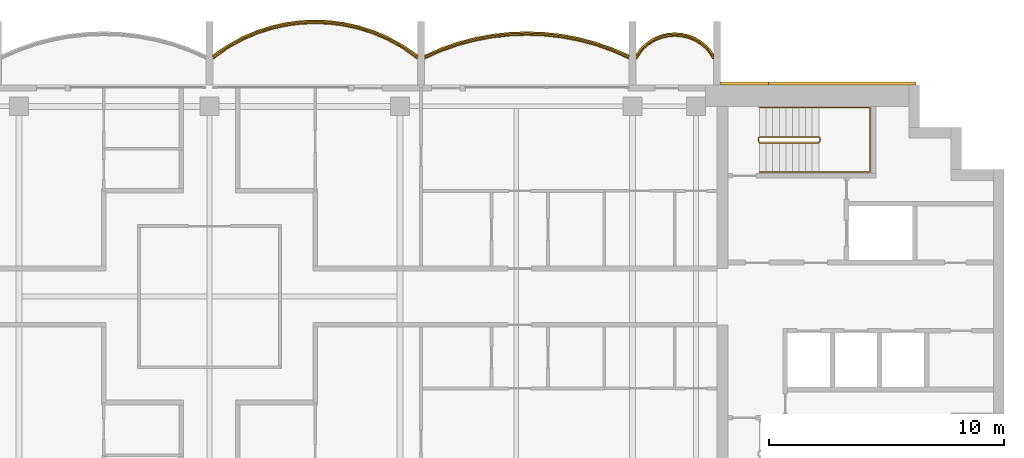
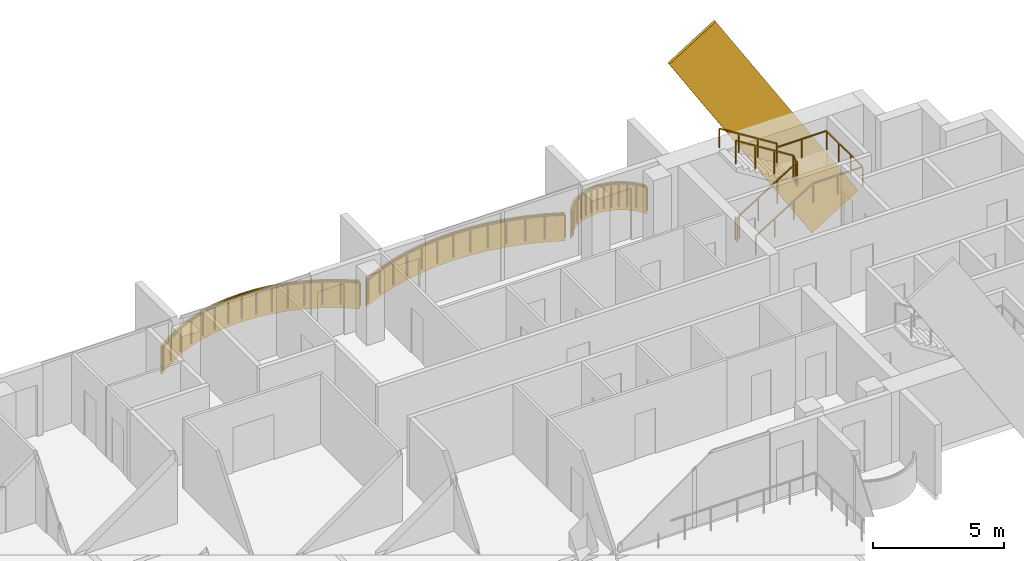
# One storey, part 16 of 16: 5 railings, 4 coverings.
"""IFC4 building model written with IfcOpenShell, lengths in metres."""

from ifc_helpers import new_model, si_unit, direction, frame, origin, origin_2d, place, context, subcontext, project, spatial, polyline, rectangle, outline, extrude, material, layer, layer_set, material_profile, profile_set, type_object, element, save


model = new_model("IFC4")

# Units and contexts
model_context = context("Model", 3, precision=1e-05, world=origin(), true_north=direction((0.0, 1.0)))
body_context = subcontext(model_context, "Body", "Model", "MODEL_VIEW")
ifc_project = project(units=[si_unit("LENGTHUNIT", "METRE"), si_unit("AREAUNIT", "SQUARE_METRE"), si_unit("VOLUMEUNIT", "CUBIC_METRE"), si_unit("PLANEANGLEUNIT", "RADIAN"), si_unit("MASSUNIT", "GRAM", prefix="KILO")], contexts=[model_context])

# Site, building, storey
site_placement = place(None, origin())
site = spatial("IfcSite", under=ifc_project, at=site_placement, CompositionType="ELEMENT")
building_placement = place(site_placement, origin())
building = spatial("IfcBuilding", under=site, at=building_placement, Name="Perihelion Cross Residences", CompositionType="ELEMENT")
storey_placement = place(building_placement, frame((0.0, 0.0, 250.0)))
storey = spatial("IfcBuildingStorey", under=building, at=storey_placement, Name="L63", CompositionType="ELEMENT", Elevation=250.0)

# Coverings
ifc_material_1 = material(Name="Bronze anodised aluminium", Category="aluminium")
ifc_layer = layer(ifc_material_1, 0.070068359375)
ifc_layer_set = layer_set([ifc_layer], Name="Balcony fascia 1300")
covering_type_1 = type_object("IfcCoveringType", Name="Balcony fascia 1300", PredefinedType="CLADDING", material=ifc_layer_set)
covering_1_placement = place(storey_placement, frame((0.0, 0.0, -0.199951171875)))
element("IfcCovering", 1, at=covering_1_placement, inside=storey, type_object=covering_type_1, Name="Fascia BF1 L63 east side north bay 1", PredefinedType="CLADDING", context=body_context, shape_type="SweptSolid", body=[
    extrude(outline(polyline([(21.226318359375, 10.616455078125), (20.94091796875, 10.86328125), (20.655517578125, 11.031494140625), (20.370361328125, 11.142578125), (20.085205078125, 11.206298828125), (19.800048828125, 11.22705078125), (19.514892578125, 11.206298828125), (19.229736328125, 11.142578125), (18.9443359375, 11.031494140625), (18.6591796875, 10.86328125), (18.373779296875, 10.616455078125), (18.14990234375, 10.31689453125), (18.14990234375, 10.199951171875), (18.425048828125, 10.568603515625), (18.699951171875, 10.806396484375), (18.97509765625, 10.96875), (19.25, 11.07568359375), (19.52490234375, 11.136962890625), (19.800048828125, 11.156982421875), (20.074951171875, 11.136962890625), (20.35009765625, 11.07568359375), (20.625, 10.96875), (20.89990234375, 10.806396484375), (21.175048828125, 10.568603515625), (21.449951171875, 10.199951171875), (21.449951171875, 10.31689453125), (21.226318359375, 10.616455078125)])), origin(), (0.0, 0.0, 1.0), 1.300048828125),
])
covering_2_placement = place(storey_placement, frame((0.0, 0.0, -0.199951171875)))
element("IfcCovering", 2, at=covering_2_placement, inside=storey, type_object=covering_type_1, Name="Fascia BF1 L63 east side north bay 2", PredefinedType="CLADDING", context=body_context, shape_type="SweptSolid", body=[
    extrude(outline(polyline([(17.150634765625, 10.582275390625), (16.42041015625, 10.83544921875), (15.690185546875, 11.028076171875), (14.960205078125, 11.1630859375), (14.22998046875, 11.243408203125), (13.5, 11.27001953125), (12.77001953125, 11.243408203125), (12.039794921875, 11.1630859375), (11.309814453125, 11.028076171875), (10.57958984375, 10.83544921875), (9.849365234375, 10.582275390625), (9.14990234375, 10.2763671875), (9.14990234375, 10.199951171875), (9.875, 10.51708984375), (10.60009765625, 10.7685546875), (11.324951171875, 10.959716796875), (12.050048828125, 11.093994140625), (12.77490234375, 11.173583984375), (13.5, 11.199951171875), (14.22509765625, 11.173583984375), (14.949951171875, 11.093994140625), (15.675048828125, 10.959716796875), (16.39990234375, 10.7685546875), (17.125, 10.51708984375), (17.85009765625, 10.199951171875), (17.85009765625, 10.2763671875), (17.150634765625, 10.582275390625)])), origin(), (0.0, 0.0, 1.0), 1.300048828125),
])
covering_3_placement = place(storey_placement, frame((0.0, 0.0, -0.199951171875)))
element("IfcCovering", 3, at=covering_3_placement, inside=storey, type_object=covering_type_1, Name="Fascia BF1 L63 north side east bay 1", PredefinedType="CLADDING", context=body_context, shape_type="SweptSolid", body=[
    extrude(outline(polyline([(8.265625, 10.694091796875), (7.637939453125, 11.0419921875), (7.010498046875, 11.313232421875), (6.3828125, 11.516845703125), (5.755126953125, 11.65869140625), (5.127685546875, 11.742431640625), (4.5, 11.77001953125), (3.872314453125, 11.742431640625), (3.244873046875, 11.65869140625), (2.6171875, 11.516845703125), (1.989501953125, 11.313232421875), (1.362060546875, 11.0419921875), (0.734375, 10.694091796875), (0.14990234375, 10.285400390625), (0.14990234375, 10.199951171875), (0.771484375, 10.634765625), (1.392822265625, 10.979248046875), (2.014404296875, 11.247802734375), (2.6357421875, 11.44921875), (3.257080078125, 11.589599609375), (3.878662109375, 11.672607421875), (4.5, 11.699951171875), (5.121337890625, 11.672607421875), (5.742919921875, 11.589599609375), (6.3642578125, 11.44921875), (6.985595703125, 11.247802734375), (7.607177734375, 10.979248046875), (8.228515625, 10.634765625), (8.85009765625, 10.199951171875), (8.85009765625, 10.285400390625), (8.265625, 10.694091796875)])), origin(), (0.0, 0.0, 1.0), 1.300048828125),
])

# Railings
ifc_material_2 = material(Name="Bronze anodised aluminium", Category="aluminium")
railing_type_1 = type_object("IfcRailingType", Name="Balcony guard 1100", PredefinedType="GUARDRAIL", material=ifc_material_2)
railing_1_placement = place(storey_placement, frame((21.425048828125, 10.139892578125, 0.0)))
element("IfcRailing", 4, at=railing_1_placement, inside=storey, type_object=railing_type_1, Name="Guard GU1 L63 east side north bay 1 balcony", PredefinedType="GUARDRAIL", context=body_context, shape_type="SweptSolid", body=[
    extrude(rectangle(XDim=0.048095703125, YDim=0.048095703125, at=origin_2d()), frame((0.0, 0.0, 1.076171875), z_axis=(-0.561260132269, 0.827639452857, 0.0), x_axis=(-0.827639452857, -0.561260132269, 0.0)), (0.0, 0.0, 1.0), 0.4453125),
    extrude(rectangle(XDim=0.048095703125, YDim=0.048095703125, at=origin_2d()), frame((-0.25, 0.36865234375, 1.076171875), z_axis=(-0.756596535164, 0.653882009982, 0.0), x_axis=(-0.653882009982, -0.756596535164, 0.0)), (0.0, 0.0, 1.0), 0.36376953125),
    extrude(rectangle(XDim=0.048095703125, YDim=0.048095703125, at=origin_2d()), frame((-0.525146484375, 0.6064453125, 1.076171875), z_axis=(-0.861048292884, 0.508523192511, 0.0), x_axis=(-0.508523192511, -0.861048292884, 0.0)), (0.0, 0.0, 1.0), 0.3193359375),
    extrude(rectangle(XDim=0.048095703125, YDim=0.048095703125, at=origin_2d()), frame((-0.800048828125, 0.768798828125, 1.076171875), z_axis=(-0.931973602183, 0.362526143656, 0.0), x_axis=(-0.362526143656, -0.931973602183, 0.0)), (0.0, 0.0, 1.0), 0.294921875),
    extrude(rectangle(XDim=0.048095703125, YDim=0.048095703125, at=origin_2d()), frame((-1.074951171875, 0.875732421875, 1.076171875), z_axis=(-0.976085059389, 0.21738895289, 0.0), x_axis=(-0.21738895289, -0.976085059389, 0.0)), (0.0, 0.0, 1.0), 0.281982421875),
    extrude(rectangle(XDim=0.048095703125, YDim=0.048095703125, at=origin_2d()), frame((-1.35009765625, 0.93701171875, 1.076171875), z_axis=(-0.997358821833, 0.072631814734, 0.0), x_axis=(-0.072631814734, -0.997358821833, 0.0)), (0.0, 0.0, 1.0), 0.275634765625),
    extrude(rectangle(XDim=0.048095703125, YDim=0.048095703125, at=origin_2d()), frame((-1.625, 0.95703125, 1.076171875), z_axis=(-0.997363488337, -0.072567707226, 0.0), x_axis=(0.072567707226, -0.997363488337, 0.0)), (0.0, 0.0, 1.0), 0.27587890625),
    extrude(rectangle(XDim=0.048095703125, YDim=0.048095703125, at=origin_2d()), frame((-1.900146484375, 0.93701171875, 1.076171875), z_axis=(-0.976044077717, -0.217572880557, 0.0), x_axis=(0.217572880557, -0.976044077717, 0.0)), (0.0, 0.0, 1.0), 0.28173828125),
    extrude(rectangle(XDim=0.048095703125, YDim=0.048095703125, at=origin_2d()), frame((-2.175048828125, 0.875732421875, 1.076171875), z_axis=(-0.931973602183, -0.362526143656, 0.0), x_axis=(0.362526143656, -0.931973602183, 0.0)), (0.0, 0.0, 1.0), 0.294921875),
    extrude(rectangle(XDim=0.048095703125, YDim=0.048095703125, at=origin_2d()), frame((-2.449951171875, 0.768798828125, 1.076171875), z_axis=(-0.861245845072, -0.508188542123, 0.0), x_axis=(0.508188542123, -0.861245845072, 0.0)), (0.0, 0.0, 1.0), 0.319580078125),
    extrude(rectangle(XDim=0.048095703125, YDim=0.048095703125, at=origin_2d()), frame((-2.72509765625, 0.6064453125, 1.076171875), z_axis=(-0.756309278473, -0.654214242658, 0.0), x_axis=(0.654214242658, -0.756309278473, 0.0)), (0.0, 0.0, 1.0), 0.363525390625),
    extrude(rectangle(XDim=0.048095703125, YDim=0.048095703125, at=origin_2d()), frame((-3.0, 0.36865234375, 1.076171875), z_axis=(-0.561260132269, -0.827639452857, 0.0), x_axis=(0.827639452857, -0.561260132269, 0.0)), (0.0, 0.0, 1.0), 0.4453125),
    extrude(rectangle(XDim=0.0419921875, YDim=0.0419921875, at=origin_2d()), origin(), (0.0, 0.0, 1.0), 1.052001953125),
    extrude(rectangle(XDim=0.0419921875, YDim=0.0419921875, at=origin_2d()), frame((-0.25, 0.36865234375, 0.0)), (0.0, 0.0, 1.0), 1.052001953125),
    extrude(rectangle(XDim=0.0419921875, YDim=0.0419921875, at=origin_2d()), frame((-0.525146484375, 0.6064453125, 0.0)), (0.0, 0.0, 1.0), 1.052001953125),
    extrude(rectangle(XDim=0.0419921875, YDim=0.0419921875, at=origin_2d()), frame((-0.800048828125, 0.768798828125, 0.0)), (0.0, 0.0, 1.0), 1.052001953125),
    extrude(rectangle(XDim=0.0419921875, YDim=0.0419921875, at=origin_2d()), frame((-1.074951171875, 0.875732421875, 0.0)), (0.0, 0.0, 1.0), 1.052001953125),
    extrude(rectangle(XDim=0.0419921875, YDim=0.0419921875, at=origin_2d()), frame((-1.35009765625, 0.93701171875, 0.0)), (0.0, 0.0, 1.0), 1.052001953125),
    extrude(rectangle(XDim=0.0419921875, YDim=0.0419921875, at=origin_2d()), frame((-1.625, 0.95703125, 0.0)), (0.0, 0.0, 1.0), 1.052001953125),
    extrude(rectangle(XDim=0.0419921875, YDim=0.0419921875, at=origin_2d()), frame((-1.900146484375, 0.93701171875, 0.0)), (0.0, 0.0, 1.0), 1.052001953125),
    extrude(rectangle(XDim=0.0419921875, YDim=0.0419921875, at=origin_2d()), frame((-2.175048828125, 0.875732421875, 0.0)), (0.0, 0.0, 1.0), 1.052001953125),
    extrude(rectangle(XDim=0.0419921875, YDim=0.0419921875, at=origin_2d()), frame((-2.449951171875, 0.768798828125, 0.0)), (0.0, 0.0, 1.0), 1.052001953125),
    extrude(rectangle(XDim=0.0419921875, YDim=0.0419921875, at=origin_2d()), frame((-2.72509765625, 0.6064453125, 0.0)), (0.0, 0.0, 1.0), 1.052001953125),
    extrude(rectangle(XDim=0.0419921875, YDim=0.0419921875, at=origin_2d()), frame((-3.0, 0.36865234375, 0.0)), (0.0, 0.0, 1.0), 1.052001953125),
    extrude(rectangle(XDim=0.0419921875, YDim=0.0419921875, at=origin_2d()), frame((-3.25, 0.0, 0.0)), (0.0, 0.0, 1.0), 1.052001953125),
])
railing_2_placement = place(storey_placement, frame((17.824951171875, 10.139892578125, 0.0)))
element("IfcRailing", 5, at=railing_2_placement, inside=storey, type_object=railing_type_1, Name="Guard GU1 L63 east side north bay 2 balcony", PredefinedType="GUARDRAIL", context=body_context, shape_type="SweptSolid", body=[
    extrude(rectangle(XDim=0.048095703125, YDim=0.048095703125, at=origin_2d()), frame((0.0, 0.0, 1.076171875), z_axis=(-0.910866309087, 0.412701547089, 0.0), x_axis=(-0.412701547089, -0.910866309087, 0.0)), (0.0, 0.0, 1.0), 0.7685546875),
    extrude(rectangle(XDim=0.048095703125, YDim=0.048095703125, at=origin_2d()), frame((-0.699951171875, 0.317138671875, 1.076171875), z_axis=(-0.944796812452, 0.327656807012, 0.0), x_axis=(-0.327656807012, -0.944796812452, 0.0)), (0.0, 0.0, 1.0), 0.767578125),
    extrude(rectangle(XDim=0.048095703125, YDim=0.048095703125, at=origin_2d()), frame((-1.425048828125, 0.568603515625, 1.076171875), z_axis=(-0.966939404945, 0.255006249266, 0.0), x_axis=(-0.255006249266, -0.966939404945, 0.0)), (0.0, 0.0, 1.0), 0.749755859375),
    extrude(rectangle(XDim=0.048095703125, YDim=0.048095703125, at=origin_2d()), frame((-2.14990234375, 0.759765625, 1.076171875), z_axis=(-0.983282004984, 0.182089260182, 0.0), x_axis=(-0.182089260182, -0.983282004984, 0.0)), (0.0, 0.0, 1.0), 0.7373046875),
    extrude(rectangle(XDim=0.048095703125, YDim=0.048095703125, at=origin_2d()), frame((-2.875, 0.89404296875, 1.076171875), z_axis=(-0.994025805622, 0.109145305703, 0.0), x_axis=(-0.109145305703, -0.994025805622, 0.0)), (0.0, 0.0, 1.0), 0.729248046875),
    extrude(rectangle(XDim=0.048095703125, YDim=0.048095703125, at=origin_2d()), frame((-3.599853515625, 0.9736328125, 1.076171875), z_axis=(-0.999339497946, 0.036339618107, 0.0), x_axis=(-0.036339618107, -0.999339497946, 0.0)), (0.0, 0.0, 1.0), 0.7255859375),
    extrude(rectangle(XDim=0.048095703125, YDim=0.048095703125, at=origin_2d()), frame((-4.324951171875, 1.0, 1.076171875), z_axis=(-0.999339497946, -0.036339618107, 0.0), x_axis=(0.036339618107, -0.999339497946, 0.0)), (0.0, 0.0, 1.0), 0.7255859375),
    extrude(rectangle(XDim=0.048095703125, YDim=0.048095703125, at=origin_2d()), frame((-5.050048828125, 0.9736328125, 1.076171875), z_axis=(-0.994025805622, -0.109145305703, 0.0), x_axis=(0.109145305703, -0.994025805622, 0.0)), (0.0, 0.0, 1.0), 0.729248046875),
    extrude(rectangle(XDim=0.048095703125, YDim=0.048095703125, at=origin_2d()), frame((-5.77490234375, 0.89404296875, 1.076171875), z_axis=(-0.983282004984, -0.182089260182, 0.0), x_axis=(0.182089260182, -0.983282004984, 0.0)), (0.0, 0.0, 1.0), 0.7373046875),
    extrude(rectangle(XDim=0.048095703125, YDim=0.048095703125, at=origin_2d()), frame((-6.5, 0.759765625, 1.076171875), z_axis=(-0.966939404945, -0.255006249266, 0.0), x_axis=(0.255006249266, -0.966939404945, 0.0)), (0.0, 0.0, 1.0), 0.749755859375),
    extrude(rectangle(XDim=0.048095703125, YDim=0.048095703125, at=origin_2d()), frame((-7.224853515625, 0.568603515625, 1.076171875), z_axis=(-0.944796812452, -0.327656807012, 0.0), x_axis=(0.327656807012, -0.944796812452, 0.0)), (0.0, 0.0, 1.0), 0.767578125),
    extrude(rectangle(XDim=0.048095703125, YDim=0.048095703125, at=origin_2d()), frame((-7.949951171875, 0.317138671875, 1.076171875), z_axis=(-0.910866309087, -0.412701547089, 0.0), x_axis=(0.412701547089, -0.910866309087, 0.0)), (0.0, 0.0, 1.0), 0.7685546875),
    extrude(rectangle(XDim=0.0419921875, YDim=0.0419921875, at=origin_2d()), origin(), (0.0, 0.0, 1.0), 1.052001953125),
    extrude(rectangle(XDim=0.0419921875, YDim=0.0419921875, at=origin_2d()), frame((-0.699951171875, 0.317138671875, 0.0)), (0.0, 0.0, 1.0), 1.052001953125),
    extrude(rectangle(XDim=0.0419921875, YDim=0.0419921875, at=origin_2d()), frame((-1.425048828125, 0.568603515625, 0.0)), (0.0, 0.0, 1.0), 1.052001953125),
    extrude(rectangle(XDim=0.0419921875, YDim=0.0419921875, at=origin_2d()), frame((-2.14990234375, 0.759765625, 0.0)), (0.0, 0.0, 1.0), 1.052001953125),
    extrude(rectangle(XDim=0.0419921875, YDim=0.0419921875, at=origin_2d()), frame((-2.875, 0.89404296875, 0.0)), (0.0, 0.0, 1.0), 1.052001953125),
    extrude(rectangle(XDim=0.0419921875, YDim=0.0419921875, at=origin_2d()), frame((-3.599853515625, 0.9736328125, 0.0)), (0.0, 0.0, 1.0), 1.052001953125),
    extrude(rectangle(XDim=0.0419921875, YDim=0.0419921875, at=origin_2d()), frame((-4.324951171875, 1.0, 0.0)), (0.0, 0.0, 1.0), 1.052001953125),
    extrude(rectangle(XDim=0.0419921875, YDim=0.0419921875, at=origin_2d()), frame((-5.050048828125, 0.9736328125, 0.0)), (0.0, 0.0, 1.0), 1.052001953125),
    extrude(rectangle(XDim=0.0419921875, YDim=0.0419921875, at=origin_2d()), frame((-5.77490234375, 0.89404296875, 0.0)), (0.0, 0.0, 1.0), 1.052001953125),
    extrude(rectangle(XDim=0.0419921875, YDim=0.0419921875, at=origin_2d()), frame((-6.5, 0.759765625, 0.0)), (0.0, 0.0, 1.0), 1.052001953125),
    extrude(rectangle(XDim=0.0419921875, YDim=0.0419921875, at=origin_2d()), frame((-7.224853515625, 0.568603515625, 0.0)), (0.0, 0.0, 1.0), 1.052001953125),
    extrude(rectangle(XDim=0.0419921875, YDim=0.0419921875, at=origin_2d()), frame((-7.949951171875, 0.317138671875, 0.0)), (0.0, 0.0, 1.0), 1.052001953125),
    extrude(rectangle(XDim=0.0419921875, YDim=0.0419921875, at=origin_2d()), frame((-8.64990234375, 0.0, 0.0)), (0.0, 0.0, 1.0), 1.052001953125),
])
railing_3_placement = place(storey_placement, frame((8.824951171875, 10.139892578125, 0.0)))
element("IfcRailing", 6, at=railing_3_placement, inside=storey, type_object=railing_type_1, Name="Guard GU1 L63 north side east bay 1 balcony", PredefinedType="GUARDRAIL", context=body_context, shape_type="SweptSolid", body=[
    extrude(rectangle(XDim=0.048095703125, YDim=0.048095703125, at=origin_2d()), frame((0.0, 0.0, 1.076171875), z_axis=(-0.808063294873, 0.589095672603, 0.0), x_axis=(-0.589095672603, -0.808063294873, 0.0)), (0.0, 0.0, 1.0), 0.738037109375),
    extrude(rectangle(XDim=0.048095703125, YDim=0.048095703125, at=origin_2d()), frame((-0.596435546875, 0.434814453125, 1.076171875), z_axis=(-0.874578399268, 0.484884134133, 0.0), x_axis=(-0.484884134133, -0.874578399268, 0.0)), (0.0, 0.0, 1.0), 0.71044921875),
    extrude(rectangle(XDim=0.048095703125, YDim=0.048095703125, at=origin_2d()), frame((-1.2177734375, 0.779296875, 1.076171875), z_axis=(-0.917984792895, 0.396615582162, 0.0), x_axis=(-0.396615582162, -0.917984792895, 0.0)), (0.0, 0.0, 1.0), 0.677001953125),
    extrude(rectangle(XDim=0.048095703125, YDim=0.048095703125, at=origin_2d()), frame((-1.83935546875, 1.0478515625, 1.076171875), z_axis=(-0.951157585372, 0.308705762482, 0.0), x_axis=(-0.308705762482, -0.951157585372, 0.0)), (0.0, 0.0, 1.0), 0.6533203125),
    extrude(rectangle(XDim=0.048095703125, YDim=0.048095703125, at=origin_2d()), frame((-2.460693359375, 1.24951171875, 1.076171875), z_axis=(-0.975414431917, 0.220378506229, 0.0), x_axis=(-0.220378506229, -0.975414431917, 0.0)), (0.0, 0.0, 1.0), 0.636962890625),
    extrude(rectangle(XDim=0.048095703125, YDim=0.048095703125, at=origin_2d()), frame((-3.08203125, 1.389892578125, 1.076171875), z_axis=(-0.991251686862, 0.131985201039, 0.0), x_axis=(-0.131985201039, -0.991251686862, 0.0)), (0.0, 0.0, 1.0), 0.626953125),
    extrude(rectangle(XDim=0.048095703125, YDim=0.048095703125, at=origin_2d()), frame((-3.70361328125, 1.47265625, 1.076171875), z_axis=(-0.999033058467, 0.04396530552, 0.0), x_axis=(-0.04396530552, -0.999033058467, 0.0)), (0.0, 0.0, 1.0), 0.621826171875),
    extrude(rectangle(XDim=0.048095703125, YDim=0.048095703125, at=origin_2d()), frame((-4.324951171875, 1.5, 1.076171875), z_axis=(-0.999033058467, -0.04396530552, 0.0), x_axis=(0.04396530552, -0.999033058467, 0.0)), (0.0, 0.0, 1.0), 0.621826171875),
    extrude(rectangle(XDim=0.048095703125, YDim=0.048095703125, at=origin_2d()), frame((-4.9462890625, 1.47265625, 1.076171875), z_axis=(-0.991251686862, -0.131985201039, 0.0), x_axis=(0.131985201039, -0.991251686862, 0.0)), (0.0, 0.0, 1.0), 0.626953125),
    extrude(rectangle(XDim=0.048095703125, YDim=0.048095703125, at=origin_2d()), frame((-5.56787109375, 1.389892578125, 1.076171875), z_axis=(-0.975414431917, -0.220378506229, 0.0), x_axis=(0.220378506229, -0.975414431917, 0.0)), (0.0, 0.0, 1.0), 0.636962890625),
    extrude(rectangle(XDim=0.048095703125, YDim=0.048095703125, at=origin_2d()), frame((-6.189208984375, 1.24951171875, 1.076171875), z_axis=(-0.951157585372, -0.308705762482, 0.0), x_axis=(0.308705762482, -0.951157585372, 0.0)), (0.0, 0.0, 1.0), 0.6533203125),
    extrude(rectangle(XDim=0.048095703125, YDim=0.048095703125, at=origin_2d()), frame((-6.810546875, 1.0478515625, 1.076171875), z_axis=(-0.917984792895, -0.396615582162, 0.0), x_axis=(0.396615582162, -0.917984792895, 0.0)), (0.0, 0.0, 1.0), 0.677001953125),
    extrude(rectangle(XDim=0.048095703125, YDim=0.048095703125, at=origin_2d()), frame((-7.43212890625, 0.779296875, 1.076171875), z_axis=(-0.874578399268, -0.484884134133, 0.0), x_axis=(0.484884134133, -0.874578399268, 0.0)), (0.0, 0.0, 1.0), 0.71044921875),
    extrude(rectangle(XDim=0.048095703125, YDim=0.048095703125, at=origin_2d()), frame((-8.053466796875, 0.434814453125, 1.076171875), z_axis=(-0.808063294873, -0.589095672603, 0.0), x_axis=(0.589095672603, -0.808063294873, 0.0)), (0.0, 0.0, 1.0), 0.738037109375),
    extrude(rectangle(XDim=0.0419921875, YDim=0.0419921875, at=origin_2d()), origin(), (0.0, 0.0, 1.0), 1.052001953125),
    extrude(rectangle(XDim=0.0419921875, YDim=0.0419921875, at=origin_2d()), frame((-0.596435546875, 0.434814453125, 0.0)), (0.0, 0.0, 1.0), 1.052001953125),
    extrude(rectangle(XDim=0.0419921875, YDim=0.0419921875, at=origin_2d()), frame((-1.2177734375, 0.779296875, 0.0)), (0.0, 0.0, 1.0), 1.052001953125),
    extrude(rectangle(XDim=0.0419921875, YDim=0.0419921875, at=origin_2d()), frame((-1.83935546875, 1.0478515625, 0.0)), (0.0, 0.0, 1.0), 1.052001953125),
    extrude(rectangle(XDim=0.0419921875, YDim=0.0419921875, at=origin_2d()), frame((-2.460693359375, 1.24951171875, 0.0)), (0.0, 0.0, 1.0), 1.052001953125),
    extrude(rectangle(XDim=0.0419921875, YDim=0.0419921875, at=origin_2d()), frame((-3.08203125, 1.389892578125, 0.0)), (0.0, 0.0, 1.0), 1.052001953125),
    extrude(rectangle(XDim=0.0419921875, YDim=0.0419921875, at=origin_2d()), frame((-3.70361328125, 1.47265625, 0.0)), (0.0, 0.0, 1.0), 1.052001953125),
    extrude(rectangle(XDim=0.0419921875, YDim=0.0419921875, at=origin_2d()), frame((-4.324951171875, 1.5, 0.0)), (0.0, 0.0, 1.0), 1.052001953125),
    extrude(rectangle(XDim=0.0419921875, YDim=0.0419921875, at=origin_2d()), frame((-4.9462890625, 1.47265625, 0.0)), (0.0, 0.0, 1.0), 1.052001953125),
    extrude(rectangle(XDim=0.0419921875, YDim=0.0419921875, at=origin_2d()), frame((-5.56787109375, 1.389892578125, 0.0)), (0.0, 0.0, 1.0), 1.052001953125),
    extrude(rectangle(XDim=0.0419921875, YDim=0.0419921875, at=origin_2d()), frame((-6.189208984375, 1.24951171875, 0.0)), (0.0, 0.0, 1.0), 1.052001953125),
    extrude(rectangle(XDim=0.0419921875, YDim=0.0419921875, at=origin_2d()), frame((-6.810546875, 1.0478515625, 0.0)), (0.0, 0.0, 1.0), 1.052001953125),
    extrude(rectangle(XDim=0.0419921875, YDim=0.0419921875, at=origin_2d()), frame((-7.43212890625, 0.779296875, 0.0)), (0.0, 0.0, 1.0), 1.052001953125),
    extrude(rectangle(XDim=0.0419921875, YDim=0.0419921875, at=origin_2d()), frame((-8.053466796875, 0.434814453125, 0.0)), (0.0, 0.0, 1.0), 1.052001953125),
    extrude(rectangle(XDim=0.0419921875, YDim=0.0419921875, at=origin_2d()), frame((-8.64990234375, 0.0, 0.0)), (0.0, 0.0, 1.0), 1.052001953125),
])

# Covering
ifc_material_3 = material(Name="Bronze anodised aluminium", Category="aluminium")
ifc_material_profile = material_profile(ifc_material_3, rectangle(XDim=0.125, YDim=2.39990234375, at=origin_2d()), Name="Bronze cladding band 2400")
ifc_profile_set = profile_set([ifc_material_profile], Name="Bronze anodised aluminium")
covering_type_2 = type_object("IfcCoveringType", Name="Bronze cladding band 2400", PredefinedType="CLADDING", material=ifc_profile_set)
covering_4_placement = place(storey_placement, frame((29.0322265625, 9.0625, -2.029052734375), z_axis=(-0.529915403603, 0.0, 0.848050508534), x_axis=(0.0, -1.0, 0.0)))
element("IfcCovering", 7, at=covering_4_placement, inside=storey, type_object=covering_type_2, Name="Core cladding band, east core", PredefinedType="CLADDING", context=body_context, shape_type="SweptSolid", body=[
    extrude(rectangle(XDim=0.125, YDim=2.39990234375, at=origin_2d()), origin(), (0.0, 0.0, 1.0), 11.822021484375),
])

# Railings
ifc_material_4 = material(Name="Stainless steel", Category="steel")
railing_type_2 = type_object("IfcRailingType", Name="Stair guard 1100", PredefinedType="GUARDRAIL", material=ifc_material_4)
railing_4_placement = place(storey_placement, frame((23.35009765625, 6.75, 0.0)))
element("IfcRailing", 8, at=railing_4_placement, inside=storey, type_object=railing_type_2, Name="L63 ST-E1 stair guard 1", PredefinedType="GUARDRAIL", context=body_context, shape_type="SweptSolid", body=[
    extrude(rectangle(XDim=0.048095703125, YDim=0.048095703125, at=origin_2d()), frame((0.0, 0.0, 1.076171875), z_axis=(0.0, -1.0, 0.0), x_axis=(1.0, 0.0, 0.0)), (0.0, 0.0, 1.0), 0.14990234375),
    extrude(rectangle(XDim=0.048095703125, YDim=0.048095703125, at=origin_2d()), frame((0.0, -0.14990234375, 1.076171875), z_axis=(0.263862480399, -0.265155923931, 0.927399011991), x_axis=(0.708833529934, 0.705375805398, 0.0)), (0.0, 0.0, 1.0), 0.188720703125),
    extrude(rectangle(XDim=0.048095703125, YDim=0.048095703125, at=origin_2d()), frame((0.0498046875, -0.199951171875, 1.2509765625), z_axis=(0.848007534815, 0.0, 0.529984170421), x_axis=(0.0, 1.0, 0.0)), (0.0, 0.0, 1.0), 2.9716796875),
    extrude(rectangle(XDim=0.048095703125, YDim=0.048095703125, at=origin_2d()), frame((2.56982421875, -0.199951171875, 2.826171875), z_axis=(0.707106781187, 0.707106781187, 0.0), x_axis=(-0.707106781187, 0.707106781187, 0.0)), (0.0, 0.0, 1.0), 0.07080078125),
    extrude(rectangle(XDim=0.048095703125, YDim=0.048095703125, at=origin_2d()), frame((2.619873046875, -0.14990234375, 2.826171875), z_axis=(0.0, 1.0, 0.0), x_axis=(-1.0, 0.0, 0.0)), (0.0, 0.0, 1.0), 0.14990234375),
    extrude(rectangle(XDim=0.048095703125, YDim=0.048095703125, at=origin_2d()), frame((2.619873046875, 0.0, 2.826171875), z_axis=(-0.265065253269, 0.265065253269, 0.927081885822), x_axis=(-0.707106781187, -0.707106781187, 0.0)), (0.0, 0.0, 1.0), 0.188720703125),
    extrude(rectangle(XDim=0.048095703125, YDim=0.048095703125, at=origin_2d()), frame((2.56982421875, 0.050048828125, 3.0009765625), z_axis=(-0.848007534815, 0.0, 0.529984170421), x_axis=(0.0, -1.0, 0.0)), (0.0, 0.0, 1.0), 2.9716796875),
    extrude(rectangle(XDim=0.0419921875, YDim=0.0419921875, at=origin_2d()), origin(), (0.0, 0.0, 1.0), 1.052001953125),
    extrude(rectangle(XDim=0.0419921875, YDim=0.0419921875, at=origin_2d()), frame((0.0, -0.14990234375, 0.0)), (0.0, 0.0, 1.0), 1.052001953125),
    extrude(rectangle(XDim=0.0419921875, YDim=0.0419921875, at=origin_2d()), frame((0.0498046875, -0.199951171875, 0.175048828125)), (0.0, 0.0, 1.0), 1.052001953125),
    extrude(rectangle(XDim=0.0419921875, YDim=0.0419921875, at=origin_2d()), frame((0.889892578125, -0.199951171875, 0.699951171875)), (0.0, 0.0, 1.0), 1.052001953125),
    extrude(rectangle(XDim=0.0419921875, YDim=0.0419921875, at=origin_2d()), frame((1.729736328125, -0.199951171875, 1.22509765625)), (0.0, 0.0, 1.0), 1.052001953125),
    extrude(rectangle(XDim=0.0419921875, YDim=0.0419921875, at=origin_2d()), frame((2.56982421875, -0.199951171875, 1.75)), (0.0, 0.0, 1.0), 1.052001953125),
    extrude(rectangle(XDim=0.0419921875, YDim=0.0419921875, at=origin_2d()), frame((2.619873046875, -0.14990234375, 1.75)), (0.0, 0.0, 1.0), 1.052001953125),
    extrude(rectangle(XDim=0.0419921875, YDim=0.0419921875, at=origin_2d()), frame((2.619873046875, 0.0, 1.75)), (0.0, 0.0, 1.0), 1.052001953125),
    extrude(rectangle(XDim=0.0419921875, YDim=0.0419921875, at=origin_2d()), frame((2.56982421875, 0.050048828125, 1.925048828125)), (0.0, 0.0, 1.0), 1.052001953125),
    extrude(rectangle(XDim=0.0419921875, YDim=0.0419921875, at=origin_2d()), frame((1.729736328125, 0.050048828125, 2.449951171875)), (0.0, 0.0, 1.0), 1.052001953125),
    extrude(rectangle(XDim=0.0419921875, YDim=0.0419921875, at=origin_2d()), frame((0.889892578125, 0.050048828125, 2.97509765625)), (0.0, 0.0, 1.0), 1.052001953125),
    extrude(rectangle(XDim=0.0419921875, YDim=0.0419921875, at=origin_2d()), frame((0.0498046875, 0.050048828125, 3.5)), (0.0, 0.0, 1.0), 1.052001953125),
])
ifc_material_5 = material(Name="Stainless steel", Category="steel")
railing_type_3 = type_object("IfcRailingType", Name="Stair handrail 900", PredefinedType="HANDRAIL", material=ifc_material_5)
railing_5_placement = place(storey_placement, frame((23.39990234375, 5.300048828125, 0.175048828125)))
element("IfcRailing", 9, at=railing_5_placement, inside=storey, type_object=railing_type_3, Name="L63 ST-E1 stair handrail 1", PredefinedType="HANDRAIL", context=body_context, shape_type="SweptSolid", body=[
    extrude(rectangle(XDim=0.048095703125, YDim=0.048095703125, at=origin_2d()), frame((0.0, 0.0, 0.8759765625), z_axis=(0.848007534815, 0.0, 0.529984170421), x_axis=(0.0, 1.0, 0.0)), (0.0, 0.0, 1.0), 2.9716796875),
    extrude(rectangle(XDim=0.048095703125, YDim=0.048095703125, at=origin_2d()), frame((2.52001953125, 0.0, 2.45068359375), z_axis=(1.0, 0.0, 0.0), x_axis=(0.0, 1.0, 0.0)), (0.0, 0.0, 1.0), 2.18017578125),
    extrude(rectangle(XDim=0.048095703125, YDim=0.048095703125, at=origin_2d()), frame((4.7001953125, 0.0, 2.45068359375), z_axis=(0.0, 1.0, 0.0), x_axis=(-1.0, 0.0, 0.0)), (0.0, 0.0, 1.0), 2.75),
    extrude(rectangle(XDim=0.048095703125, YDim=0.048095703125, at=origin_2d()), frame((4.7001953125, 2.75, 2.45068359375), z_axis=(-1.0, 0.0, 0.0), x_axis=(0.0, -1.0, 0.0)), (0.0, 0.0, 1.0), 2.18017578125),
    extrude(rectangle(XDim=0.048095703125, YDim=0.048095703125, at=origin_2d()), frame((2.52001953125, 2.75, 2.45068359375), z_axis=(0.0, 0.0, 1.0), x_axis=(1.0, 0.0, 0.0)), (0.0, 0.0, 1.0), 0.175048828125),
    extrude(rectangle(XDim=0.048095703125, YDim=0.048095703125, at=origin_2d()), frame((2.52001953125, 2.75, 2.6259765625), z_axis=(-0.848007534815, 0.0, 0.529984170421), x_axis=(0.0, -1.0, 0.0)), (0.0, 0.0, 1.0), 2.9716796875),
    extrude(rectangle(XDim=0.0419921875, YDim=0.0419921875, at=origin_2d()), origin(), (0.0, 0.0, 1.0), 0.851806640625),
    extrude(rectangle(XDim=0.0419921875, YDim=0.0419921875, at=origin_2d()), frame((0.840087890625, 0.0, 0.52490234375)), (0.0, 0.0, 1.0), 0.851806640625),
    extrude(rectangle(XDim=0.0419921875, YDim=0.0419921875, at=origin_2d()), frame((1.679931640625, 0.0, 1.050048828125)), (0.0, 0.0, 1.0), 0.851806640625),
    extrude(rectangle(XDim=0.0419921875, YDim=0.0419921875, at=origin_2d()), frame((2.52001953125, 0.0, 1.574951171875)), (0.0, 0.0, 1.0), 0.851806640625),
    extrude(rectangle(XDim=0.0419921875, YDim=0.0419921875, at=origin_2d()), frame((3.610107421875, 0.0, 1.574951171875)), (0.0, 0.0, 1.0), 0.851806640625),
    extrude(rectangle(XDim=0.0419921875, YDim=0.0419921875, at=origin_2d()), frame((4.7001953125, 0.0, 1.574951171875)), (0.0, 0.0, 1.0), 0.851806640625),
    extrude(rectangle(XDim=0.0419921875, YDim=0.0419921875, at=origin_2d()), frame((4.7001953125, 0.916748046875, 1.574951171875)), (0.0, 0.0, 1.0), 0.851806640625),
    extrude(rectangle(XDim=0.0419921875, YDim=0.0419921875, at=origin_2d()), frame((4.7001953125, 1.833251953125, 1.574951171875)), (0.0, 0.0, 1.0), 0.851806640625),
    extrude(rectangle(XDim=0.0419921875, YDim=0.0419921875, at=origin_2d()), frame((4.7001953125, 2.75, 1.574951171875)), (0.0, 0.0, 1.0), 0.851806640625),
    extrude(rectangle(XDim=0.0419921875, YDim=0.0419921875, at=origin_2d()), frame((3.610107421875, 2.75, 1.574951171875)), (0.0, 0.0, 1.0), 0.851806640625),
    extrude(rectangle(XDim=0.0419921875, YDim=0.0419921875, at=origin_2d()), frame((2.52001953125, 2.75, 1.574951171875)), (0.0, 0.0, 1.0), 0.851806640625),
    extrude(rectangle(XDim=0.0419921875, YDim=0.0419921875, at=origin_2d()), frame((2.52001953125, 2.75, 1.75)), (0.0, 0.0, 1.0), 0.851806640625),
    extrude(rectangle(XDim=0.0419921875, YDim=0.0419921875, at=origin_2d()), frame((1.679931640625, 2.75, 2.27490234375)), (0.0, 0.0, 1.0), 0.851806640625),
    extrude(rectangle(XDim=0.0419921875, YDim=0.0419921875, at=origin_2d()), frame((0.840087890625, 2.75, 2.800048828125)), (0.0, 0.0, 1.0), 0.851806640625),
    extrude(rectangle(XDim=0.0419921875, YDim=0.0419921875, at=origin_2d()), frame((0.0, 2.75, 3.324951171875)), (0.0, 0.0, 1.0), 0.851806640625),
])

save(model, "model.ifc")
